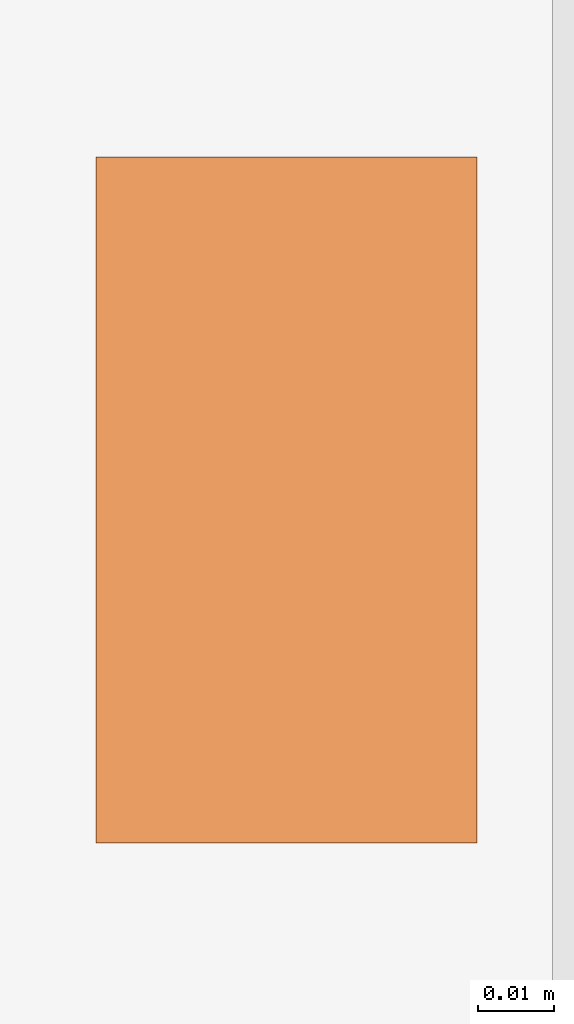
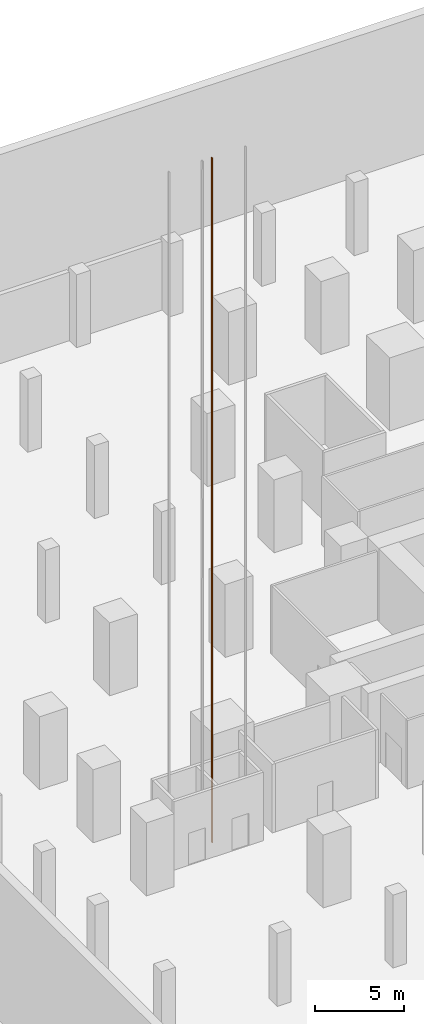
# One storey, part 26 of 31: 1 proxy.
"""IFC4 building model written with IfcOpenShell, lengths in metres."""

from ifc_helpers import new_model, si_unit, direction, frame, origin, origin_2d, place, context, subcontext, project, spatial, rectangle, extrude, material, element, save


model = new_model("IFC4")

# Units and contexts
model_context = context("Model", 3, precision=1e-05, world=origin(), true_north=direction((0.0, 1.0)))
body_context = subcontext(model_context, "Body", "Model", "MODEL_VIEW")
ifc_project = project(units=[si_unit("LENGTHUNIT", "METRE"), si_unit("AREAUNIT", "SQUARE_METRE"), si_unit("VOLUMEUNIT", "CUBIC_METRE"), si_unit("PLANEANGLEUNIT", "RADIAN"), si_unit("MASSUNIT", "GRAM", prefix="KILO")], contexts=[model_context])

# Site, building, storey
site_placement = place(None, origin())
site = spatial("IfcSite", under=ifc_project, at=site_placement, CompositionType="ELEMENT")
building_placement = place(site_placement, origin())
building = spatial("IfcBuilding", under=site, at=building_placement, Name="Mizan Broadcast Tower", CompositionType="ELEMENT")
storey_placement = place(building_placement, frame((0.0, 0.0, -10.0)))
storey = spatial("IfcBuildingStorey", under=building, at=storey_placement, Name="B2", CompositionType="ELEMENT", Elevation=-10.0)

# Proxy
ifc_material = material(Name="Steel guide rail", Category="steel")
proxy_placement = place(storey_placement, frame((-30.0849609375, -4.199951171875, 0.0), z_axis=(0.0, 0.0, 1.0), x_axis=(1.0, 0.0, 0.0)))
element("IfcBuildingElementProxy", 1, at=proxy_placement, inside=storey, material=ifc_material, Name="Guide rail PL1-1", PredefinedType="NOTDEFINED", context=body_context, shape_type="SweptSolid", body=[
    extrude(rectangle(XDim=0.050048828125, YDim=0.090087890625, at=origin_2d()), origin(), (0.0, 0.0, 1.0), 46.949951171875),
])

save(model, "model.ifc")
